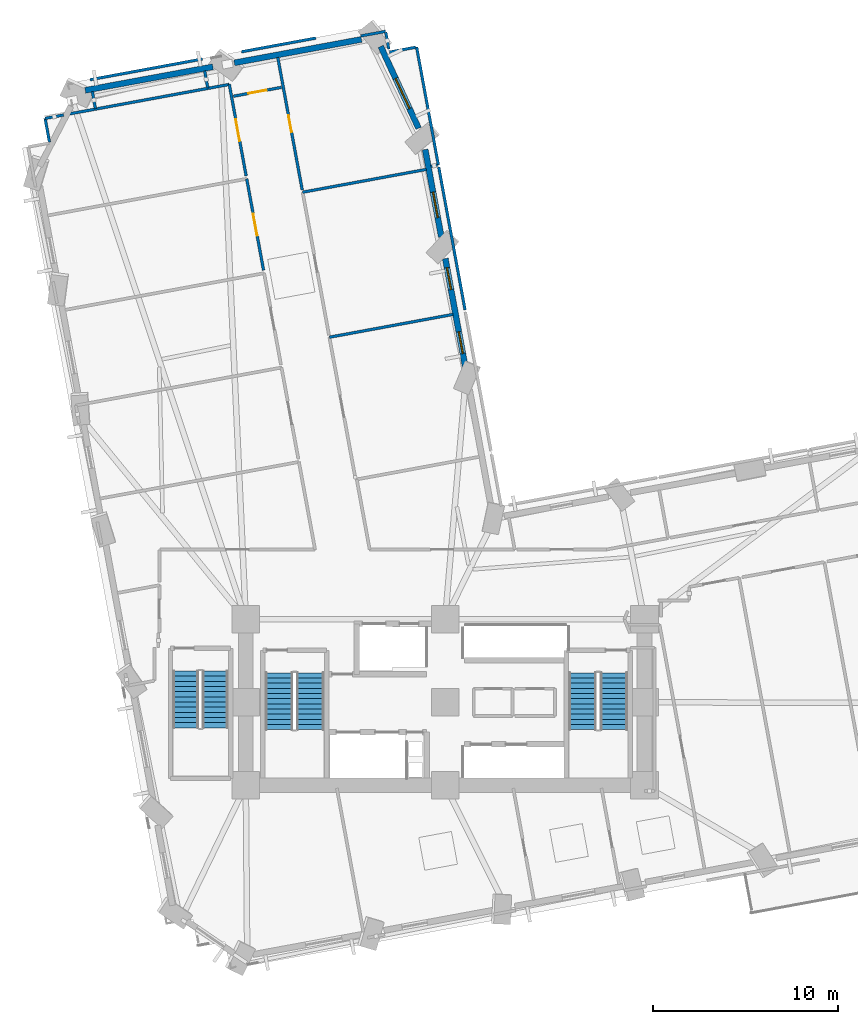
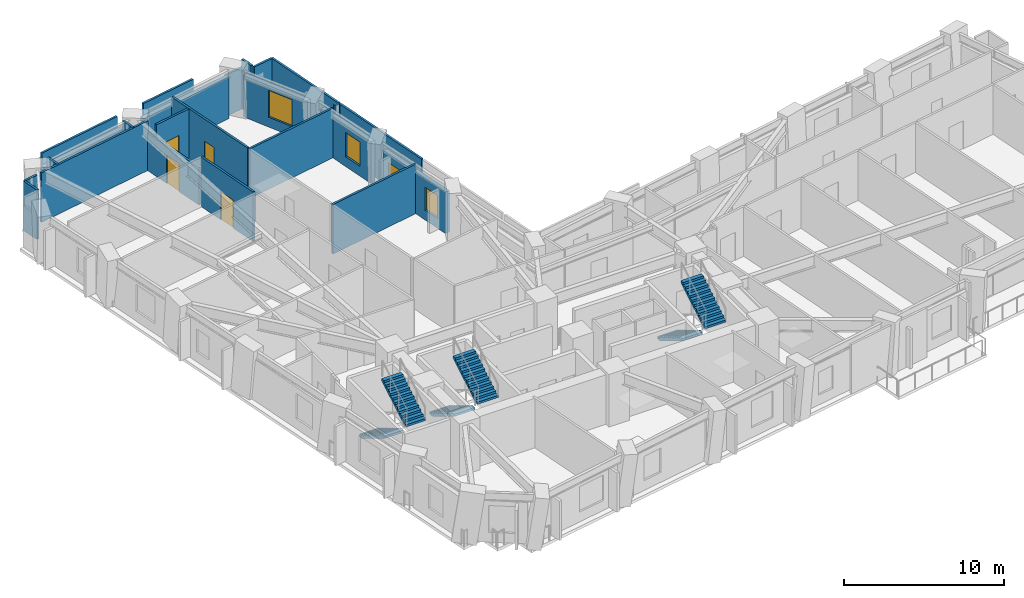
# One storey, part 11 of 16: 24 walls, 6 stair flights, 4 doors, 4 windows, 8 openings, 3 elements without a shape of their own.
"""IFC4 building model written with IfcOpenShell, lengths in metres."""

from ifc_helpers import new_model, si_unit, direction, frame, frame_2d, origin, place, context, subcontext, project, spatial, polyline, rectangle, outline, extrude, material, layer, layer_set, type_object, element, fill, aggregate, save


model = new_model("IFC4")

# Units and contexts
model_context = context("Model", 3, precision=1e-05, world=origin(), true_north=direction((0.0, 1.0)))
body_context = subcontext(model_context, "Body", "Model", "MODEL_VIEW")
ifc_project = project(units=[si_unit("LENGTHUNIT", "METRE"), si_unit("AREAUNIT", "SQUARE_METRE"), si_unit("VOLUMEUNIT", "CUBIC_METRE"), si_unit("PLANEANGLEUNIT", "RADIAN"), si_unit("MASSUNIT", "GRAM", prefix="KILO")], contexts=[model_context])

# Site, building, storey
site_placement = place(None, origin())
site = spatial("IfcSite", under=ifc_project, at=site_placement, CompositionType="ELEMENT")
building_placement = place(site_placement, origin())
building = spatial("IfcBuilding", under=site, at=building_placement, Name="Gaonmaruhae Medical Tower", CompositionType="ELEMENT")
storey_placement = place(building_placement, frame((0.0, 0.0, 67.0)))
storey = spatial("IfcBuildingStorey", under=building, at=storey_placement, Name="L15", CompositionType="ELEMENT", Elevation=67.0)

# Wall, openings, windows
ifc_material_1 = material(Name="Precast concrete C45/55", Category="concrete")
ifc_layer_1 = layer(ifc_material_1, 0.320068359375)
ifc_layer_set_1 = layer_set([ifc_layer_1], Name="Precast concrete C45/55")
wall_type_1 = type_object("IfcWallType", Name="EW-320 Lower Precast Masonry-Frame Facade Wall", PredefinedType="SOLIDWALL", material=ifc_layer_set_1)
wall_1_placement = place(storey_placement, frame((25.89794921875, 30.447509765625, 0.0), z_axis=(0.0, 0.0, 1.0), x_axis=(-0.181382112989, 0.983412695204, 0.0)))
wall_1 = element("IfcWall", 1, at=wall_1_placement, inside=storey, type_object=wall_type_1, Name="L15 Precast Masonry-Frame Wall NE01-NE02", PredefinedType="SOLIDWALL", context=body_context, shape_type="SweptSolid", body=[
    extrude(rectangle(XDim=5.996337890625, YDim=0.320068359375, at=frame_2d((2.998046875, 0.0))), origin(), (0.0, 0.0, 1.0), 3.1650390625),
])
opening_1_placement = place(wall_1_placement, frame((0.767578125, 0.0, 0.75)))
opening_1 = element("IfcOpeningElement", 2, at=opening_1_placement, cuts=wall_1, Name="Opening WN-05", PredefinedType="OPENING", context=body_context, shape_type="SweptSolid", body=[
    extrude(rectangle(XDim=1.199951171875, YDim=1.75, at=frame_2d((0.60009765625, 0.875))), frame((0.0, 0.169921875, 0.0), z_axis=(0.0, -1.0, 0.0), x_axis=(1.0, 0.0, 0.0)), (0.0, 0.0, 1.0), 0.340087890625),
])
opening_2_placement = place(wall_1_placement, frame((4.293212890625, 0.0, 0.75)))
opening_2 = element("IfcOpeningElement", 3, at=opening_2_placement, cuts=wall_1, Name="Opening WN-05", PredefinedType="OPENING", context=body_context, shape_type="SweptSolid", body=[
    extrude(rectangle(XDim=1.199951171875, YDim=1.75, at=frame_2d((0.60009765625, 0.875))), frame((0.0, 0.169921875, 0.0), z_axis=(0.0, -1.0, 0.0), x_axis=(1.0, 0.0, 0.0)), (0.0, 0.0, 1.0), 0.340087890625),
])
ifc_material_2 = material(Name="Anodised aluminium and Low-E double glazing", Category="aluminium")
window_type_1 = type_object("IfcWindowType", Name="WN-05 Support & Staff Punched Window 1200x1750", PartitioningType="SINGLE_PANEL", PredefinedType="WINDOW", material=ifc_material_2)
window_1_placement = place(opening_1_placement, origin())
window_1 = element("IfcWindow", 4, at=window_1_placement, inside=storey, type_object=window_type_1, Name="L15 Modular Facade Window NE01", OverallHeight=1.75, OverallWidth=1.199951171875, PartitioningType="SINGLE_PANEL", PredefinedType="WINDOW", context=body_context, shape_type="SweptSolid", body=[
    extrude(rectangle(XDim=1.199951171875, YDim=1.75, at=frame_2d((0.60009765625, 0.875))), frame((0.0, 0.030029296875, 0.0), z_axis=(0.0, -1.0, 0.0), x_axis=(1.0, 0.0, 0.0)), (0.0, 0.0, 1.0), 0.06005859375),
])
fill(opening_1, window_1)
window_2_placement = place(opening_2_placement, origin())
window_2 = element("IfcWindow", 5, at=window_2_placement, inside=storey, type_object=window_type_1, Name="L15 Modular Facade Window NE01B", OverallHeight=1.75, OverallWidth=1.199951171875, PartitioningType="SINGLE_PANEL", PredefinedType="WINDOW", context=body_context, shape_type="SweptSolid", body=[
    extrude(rectangle(XDim=1.199951171875, YDim=1.75, at=frame_2d((0.60009765625, 0.875))), frame((0.0, 0.030029296875, 0.0), z_axis=(0.0, -1.0, 0.0), x_axis=(1.0, 0.0, 0.0)), (0.0, 0.0, 1.0), 0.06005859375),
])
fill(opening_2, window_2)

# Wall, opening, window
wall_2_placement = place(storey_placement, frame((24.593505859375, 37.51953125, 0.0), z_axis=(0.0, 0.0, 1.0), x_axis=(-0.181364977633, 0.98341585552, 0.0)))
wall_2 = element("IfcWall", 6, at=wall_2_placement, inside=storey, type_object=wall_type_1, Name="L15 Precast Masonry-Frame Wall NE02-NE03", PredefinedType="SOLIDWALL", context=body_context, shape_type="SweptSolid", body=[
    extrude(rectangle(XDim=4.81640625, YDim=0.320068359375, at=frame_2d((2.408203125, 0.0))), origin(), (0.0, 0.0, 1.0), 3.1650390625),
])
opening_3_placement = place(wall_2_placement, frame((1.068603515625, 0.0, 0.75)))
opening_3 = element("IfcOpeningElement", 7, at=opening_3_placement, cuts=wall_2, Name="Opening WN-03", PredefinedType="OPENING", context=body_context, shape_type="SweptSolid", body=[
    extrude(rectangle(XDim=1.39990234375, YDim=1.85009765625, at=frame_2d((0.699951171875, 0.925048828125))), frame((0.0, 0.169921875, 0.0), z_axis=(0.0, -1.0, 0.0), x_axis=(1.0, 0.0, 0.0)), (0.0, 0.0, 1.0), 0.340087890625),
])
window_type_2 = type_object("IfcWindowType", Name="WN-03 Isolation Ward Punched Window 1400x1850", PartitioningType="SINGLE_PANEL", PredefinedType="WINDOW", material=ifc_material_2)
window_3_placement = place(opening_3_placement, origin())
window_3 = element("IfcWindow", 8, at=window_3_placement, inside=storey, type_object=window_type_2, Name="L15 Modular Facade Window NE02", OverallHeight=1.85009765625, OverallWidth=1.39990234375, PartitioningType="SINGLE_PANEL", PredefinedType="WINDOW", context=body_context, shape_type="SweptSolid", body=[
    extrude(rectangle(XDim=1.39990234375, YDim=1.85009765625, at=frame_2d((0.699951171875, 0.925048828125))), frame((0.0, 0.030029296875, 0.0), z_axis=(0.0, -1.0, 0.0), x_axis=(1.0, 0.0, 0.0)), (0.0, 0.0, 1.0), 0.06005859375),
])
fill(opening_3, window_3)

wall_3_placement = place(storey_placement, frame((21.311279296875, 47.841064453125, 0.0), z_axis=(0.0, 0.0, 1.0), x_axis=(0.419944609939, -0.907549736699, 0.0)))
wall_3 = element("IfcWall", 9, at=wall_3_placement, inside=storey, type_object=wall_type_1, Name="L15 Precast Masonry-Frame Wall NE03-N01", PredefinedType="SOLIDWALL", context=body_context, shape_type="SweptSolid", body=[
    extrude(rectangle(XDim=4.88916015625, YDim=0.320068359375, at=frame_2d((2.444580078125, 0.0))), origin(), (0.0, 0.0, 1.0), 3.1650390625),
])
opening_4_placement = place(wall_3_placement, frame((1.914794921875, 0.0, 0.75)))
opening_4 = element("IfcOpeningElement", 10, at=opening_4_placement, cuts=wall_3, Name="Opening WN-04", PredefinedType="OPENING", context=body_context, shape_type="SweptSolid", body=[
    extrude(rectangle(XDim=1.800048828125, YDim=2.050048828125, at=frame_2d((0.89990234375, 1.02490234375))), frame((0.0, 0.169921875, 0.0), z_axis=(0.0, -1.0, 0.0), x_axis=(1.0, 0.0, 0.0)), (0.0, 0.0, 1.0), 0.340087890625),
])
window_type_3 = type_object("IfcWindowType", Name="WN-04 Clinic & Consult Punched Window 1800x2050", PartitioningType="SINGLE_PANEL", PredefinedType="WINDOW", material=ifc_material_2)
window_4_placement = place(opening_4_placement, origin())
window_4 = element("IfcWindow", 11, at=window_4_placement, inside=storey, type_object=window_type_3, Name="L15 Modular Facade Window NE03", OverallHeight=2.050048828125, OverallWidth=1.800048828125, PartitioningType="SINGLE_PANEL", PredefinedType="WINDOW", context=body_context, shape_type="SweptSolid", body=[
    extrude(rectangle(XDim=1.800048828125, YDim=2.050048828125, at=frame_2d((0.89990234375, 1.02490234375))), frame((0.0, 0.030029296875, 0.0), z_axis=(0.0, -1.0, 0.0), x_axis=(1.0, 0.0, 0.0)), (0.0, 0.0, 1.0), 0.06005859375),
])
fill(opening_4, window_4)

# Walls
wall_4_placement = place(storey_placement, frame((13.379638671875, 46.949951171875, 0.0), z_axis=(0.0, 0.0, 1.0), x_axis=(0.98341213731, 0.181385137737, 0.0)))
element("IfcWall", 12, at=wall_4_placement, inside=storey, type_object=wall_type_1, Name="L15 Precast Masonry-Frame Wall N01-N02", PredefinedType="SOLIDWALL", context=body_context, shape_type="SweptSolid", body=[
    extrude(rectangle(XDim=7.003173828125, YDim=0.320068359375, at=frame_2d((3.50146484375, 0.0))), origin(), (0.0, 0.0, 1.0), 3.1650390625),
])
wall_5_placement = place(storey_placement, frame((5.296630859375, 45.458984375, 0.0), z_axis=(0.0, 0.0, 1.0), x_axis=(0.983408574272, 0.181404454324, 0.0)))
element("IfcWall", 13, at=wall_5_placement, inside=storey, type_object=wall_type_1, Name="L15 Precast Masonry-Frame Wall N02-N03", PredefinedType="SOLIDWALL", context=body_context, shape_type="SweptSolid", body=[
    extrude(rectangle(XDim=7.03466796875, YDim=0.320068359375, at=frame_2d((3.517333984375, 0.0))), origin(), (0.0, 0.0, 1.0), 3.1650390625),
])

# Wall, opening, door
ifc_material_3 = material(Name="Gypsum board partition", Category="gypsum")
ifc_layer_2 = layer(ifc_material_3, 0.14990234375)
ifc_layer_set_2 = layer_set([ifc_layer_2], Name="Gypsum board partition")
wall_type_2 = type_object("IfcWallType", Name="PW-150 Rated Clinical Corridor Partition", PredefinedType="PARTITIONING", material=ifc_layer_set_2)
wall_6_placement = place(storey_placement, frame((14.048095703125, 40.6669921875, 0.0), z_axis=(0.0, 0.0, 1.0), x_axis=(0.181293102456, -0.983429108275, 0.0)))
wall_6 = element("IfcWall", 14, at=wall_6_placement, inside=storey, type_object=wall_type_2, Name="L15 Interior Partition L15-WOF16-60", PredefinedType="PARTITIONING", context=body_context, shape_type="SweptSolid", body=[
    extrude(rectangle(XDim=5.04052734375, YDim=0.14990234375, at=frame_2d((2.520263671875, 0.0))), origin(), (0.0, 0.0, 1.0), 3.780029296875),
])
opening_5_placement = place(wall_6_placement, frame((1.92041015625, 0.0, 0.0)))
opening_5 = element("IfcOpeningElement", 15, at=opening_5_placement, cuts=wall_6, Name="Opening CD-02", PredefinedType="OPENING", context=body_context, shape_type="SweptSolid", body=[
    extrude(rectangle(XDim=1.199951171875, YDim=2.14990234375, at=frame_2d((0.60009765625, 1.074951171875))), frame((0.0, 0.0849609375, 0.0), z_axis=(0.0, -1.0, 0.0), x_axis=(1.0, 0.0, 0.0)), (0.0, 0.0, 1.0), 0.169921875),
])
ifc_material_4 = material(Name="Antimicrobial laminate timber fire door", Category="wood")
door_type_1 = type_object("IfcDoorType", Name="CD-02 Clinical Treatment & Procedure Door 1200x2150", OperationType="NOTDEFINED", PredefinedType="DOOR", material=ifc_material_4)
door_1_placement = place(opening_5_placement, origin())
door_1 = element("IfcDoor", 16, at=door_1_placement, inside=storey, type_object=door_type_1, Name="L15 Ward Physician Reporting Office Door", OperationType="SINGLE_SWING_LEFT", OverallHeight=2.14990234375, OverallWidth=1.199951171875, PredefinedType="DOOR", context=body_context, shape_type="SweptSolid", body=[
    extrude(rectangle(XDim=1.199951171875, YDim=2.14990234375, at=frame_2d((0.60009765625, 1.074951171875))), frame((0.0, 0.02490234375, 0.0), z_axis=(0.0, -1.0, 0.0), x_axis=(1.0, 0.0, 0.0)), (0.0, 0.0, 1.0), 0.050048828125),
])
fill(opening_5, door_1)

# Walls
wall_7_placement = place(storey_placement, frame((3.123046875, 43.93994140625, 0.0), z_axis=(0.0, 0.0, 1.0), x_axis=(0.9834621495, 0.181113777775, 0.0)))
element("IfcWall", 17, at=wall_7_placement, inside=storey, type_object=wall_type_2, Name="L15 Interior Partition L15-WOF17-62", PredefinedType="PARTITIONING", context=body_context, shape_type="SweptSolid", body=[
    extrude(rectangle(XDim=1.021728515625, YDim=0.14990234375, at=frame_2d((0.5107421875, 0.0))), origin(), (0.0, 0.0, 1.0), 3.780029296875),
])
wall_8_placement = place(storey_placement, frame((4.465087890625, 44.18701171875, 0.0), z_axis=(0.0, 0.0, 1.0), x_axis=(0.983403773202, 0.181430479393, 0.0)))
element("IfcWall", 18, at=wall_8_placement, inside=storey, type_object=wall_type_2, Name="L15 Interior Partition L15-WOF17-63", PredefinedType="PARTITIONING", context=body_context, shape_type="SweptSolid", body=[
    extrude(rectangle(XDim=8.78564453125, YDim=0.14990234375, at=frame_2d((4.392822265625, 0.0))), origin(), (0.0, 0.0, 1.0), 3.780029296875),
])

# Wall, opening, door
wall_9_placement = place(storey_placement, frame((13.10498046875, 45.781005859375, 0.0), z_axis=(0.0, 0.0, 1.0), x_axis=(0.181339945149, -0.983420471769, 0.0)))
wall_9 = element("IfcWall", 19, at=wall_9_placement, inside=storey, type_object=wall_type_2, Name="L15 Interior Partition L15-WOF17-64", PredefinedType="PARTITIONING", context=body_context, shape_type="SweptSolid", body=[
    extrude(rectangle(XDim=5.04052734375, YDim=0.14990234375, at=frame_2d((2.520263671875, 0.0))), origin(), (0.0, 0.0, 1.0), 2.864990234375),
])
opening_6_placement = place(wall_9_placement, frame((1.92041015625, 0.0, 0.0)))
opening_6 = element("IfcOpeningElement", 20, at=opening_6_placement, cuts=wall_9, Name="Opening CD-02", PredefinedType="OPENING", context=body_context, shape_type="SweptSolid", body=[
    extrude(rectangle(XDim=1.199951171875, YDim=2.14990234375, at=frame_2d((0.60009765625, 1.074951171875))), frame((0.0, 0.0849609375, 0.0), z_axis=(0.0, -1.0, 0.0), x_axis=(1.0, 0.0, 0.0)), (0.0, 0.0, 1.0), 0.169921875),
])
door_2_placement = place(opening_6_placement, origin())
door_2 = element("IfcDoor", 21, at=door_2_placement, inside=storey, type_object=door_type_1, Name="L15 Ward Physician Reporting Office Door", OperationType="SINGLE_SWING_LEFT", OverallHeight=2.14990234375, OverallWidth=1.199951171875, PredefinedType="DOOR", context=body_context, shape_type="SweptSolid", body=[
    extrude(rectangle(XDim=1.199951171875, YDim=2.14990234375, at=frame_2d((0.60009765625, 1.074951171875))), frame((0.0, 0.02490234375, 0.0), z_axis=(0.0, -1.0, 0.0), x_axis=(1.0, 0.0, 0.0)), (0.0, 0.0, 1.0), 0.050048828125),
])
fill(opening_6, door_2)

# Walls
wall_10_placement = place(storey_placement, frame((3.361083984375, 42.64990234375, 0.0), z_axis=(0.0, 0.0, 1.0), x_axis=(-0.181456106863, 0.983399044784, 0.0)))
element("IfcWall", 22, at=wall_10_placement, inside=storey, type_object=wall_type_2, Name="L15 Interior Partition L15-WOF17-67", PredefinedType="PARTITIONING", context=body_context, shape_type="SweptSolid", body=[
    extrude(rectangle(XDim=1.311767578125, YDim=0.14990234375, at=frame_2d((0.65576171875, 0.0))), origin(), (0.0, 0.0, 1.0), 3.780029296875),
])
wall_11_placement = place(storey_placement, frame((18.529052734375, 32.08203125, 0.0), z_axis=(0.0, 0.0, 1.0), x_axis=(0.98338778834, 0.181517100416, 0.0)))
element("IfcWall", 23, at=wall_11_placement, inside=storey, type_object=wall_type_2, Name="L15 Interior Partition L15-IN01-92", PredefinedType="PARTITIONING", context=body_context, shape_type="SweptSolid", body=[
    extrude(rectangle(XDim=6.815185546875, YDim=0.14990234375, at=frame_2d((3.40771484375, 0.0))), origin(), (0.0, 0.0, 1.0), 3.780029296875),
])
wall_12_placement = place(storey_placement, frame((17.080078125, 39.93994140625, 0.0), z_axis=(0.0, 0.0, 1.0), x_axis=(0.983413357383, 0.181378522765, 0.0)))
element("IfcWall", 24, at=wall_12_placement, inside=storey, type_object=wall_type_2, Name="L15 Interior Partition L15-IN02-95", PredefinedType="PARTITIONING", context=body_context, shape_type="SweptSolid", body=[
    extrude(rectangle(XDim=6.81494140625, YDim=0.14990234375, at=frame_2d((3.407470703125, 0.0))), origin(), (0.0, 0.0, 1.0), 3.780029296875),
])
wall_13_placement = place(storey_placement, frame((24.4560546875, 41.300048828125, 0.0), z_axis=(0.0, 0.0, 1.0), x_axis=(0.181333774202, -0.983421609654, 0.0)))
element("IfcWall", 25, at=wall_13_placement, inside=storey, type_object=wall_type_2, Name="L15 Interior Partition L15-IN02-96", PredefinedType="PARTITIONING", context=body_context, shape_type="SweptSolid", body=[
    extrude(rectangle(XDim=7.869384765625, YDim=0.14990234375, at=frame_2d((3.9345703125, 0.0))), origin(), (0.0, 0.0, 1.0), 3.780029296875),
])
wall_14_placement = place(storey_placement, frame((23.256103515625, 47.804931640625, 0.0), z_axis=(0.0, 0.0, 1.0), x_axis=(0.181375784051, -0.983413862501, 0.0)))
element("IfcWall", 26, at=wall_14_placement, inside=storey, type_object=wall_type_2, Name="L15 Interior Partition L15-IN03-97", PredefinedType="PARTITIONING", context=body_context, shape_type="SweptSolid", body=[
    extrude(rectangle(XDim=6.49462890625, YDim=0.14990234375, at=frame_2d((3.247314453125, 0.0))), origin(), (0.0, 0.0, 1.0), 3.780029296875),
])
wall_15_placement = place(storey_placement, frame((24.385009765625, 41.408935546875, 0.0), z_axis=(0.0, 0.0, 1.0), x_axis=(-0.983568980094, -0.180532715585, 0.0)))
element("IfcWall", 27, at=wall_15_placement, inside=storey, type_object=wall_type_2, Name="L15 Interior Partition L15-IN03-98", PredefinedType="PARTITIONING", context=body_context, shape_type="SweptSolid", body=[
    extrude(rectangle(XDim=0.365234375, YDim=0.14990234375, at=frame_2d((0.1826171875, 0.0))), origin(), (0.0, 0.0, 1.0), 3.780029296875),
])

# Wall, opening, door
wall_16_placement = place(storey_placement, frame((17.05810546875, 40.05810546875, 0.0), z_axis=(0.0, 0.0, 1.0), x_axis=(-0.181436165923, 0.983402724063, 0.0)))
wall_16 = element("IfcWall", 28, at=wall_16_placement, inside=storey, type_object=wall_type_2, Name="L15 Interior Partition L15-IN03-99", PredefinedType="PARTITIONING", context=body_context, shape_type="SweptSolid", body=[
    extrude(rectangle(XDim=7.309326171875, YDim=0.14990234375, at=frame_2d((3.65478515625, 0.0))), origin(), (0.0, 0.0, 1.0), 3.780029296875),
])
opening_7_placement = place(wall_16_placement, frame((3.194580078125, 0.0, 0.0)))
opening_7 = element("IfcOpeningElement", 29, at=opening_7_placement, cuts=wall_16, Name="Opening UD-01", PredefinedType="OPENING", context=body_context, shape_type="SweptSolid", body=[
    extrude(rectangle(XDim=0.919921875, YDim=2.10009765625, at=frame_2d((0.4599609375, 1.050048828125))), frame((0.0, 0.0849609375, 0.0), z_axis=(0.0, -1.0, 0.0), x_axis=(1.0, 0.0, 0.0)), (0.0, 0.0, 1.0), 0.169921875),
])
ifc_material_5 = material(Name="Powder-coated steel utility door", Category="steel")
door_type_2 = type_object("IfcDoorType", Name="UD-01 Toilet, Utility & Housekeeping Door 920x2100", OperationType="NOTDEFINED", PredefinedType="DOOR", material=ifc_material_5)
door_3_placement = place(opening_7_placement, origin())
door_3 = element("IfcDoor", 30, at=door_3_placement, inside=storey, type_object=door_type_2, Name="L15 Public Visitor Toilet Door", OperationType="SINGLE_SWING_LEFT", OverallHeight=2.10009765625, OverallWidth=0.919921875, PredefinedType="DOOR", context=body_context, shape_type="SweptSolid", body=[
    extrude(rectangle(XDim=0.919921875, YDim=2.10009765625, at=frame_2d((0.4599609375, 1.050048828125))), frame((0.0, 0.02490234375, 0.0), z_axis=(0.0, -1.0, 0.0), x_axis=(1.0, 0.0, 0.0)), (0.0, 0.0, 1.0), 0.050048828125),
])
fill(opening_7, door_3)

# Walls
wall_17_placement = place(storey_placement, frame((20.23193359375, 48.406982421875, 0.0), z_axis=(0.0, 0.0, 1.0), x_axis=(0.983472476136, 0.181057694351, 0.0)))
element("IfcWall", 31, at=wall_17_placement, inside=storey, type_object=wall_type_2, Name="L15 Interior Partition L15-IN03-100", PredefinedType="PARTITIONING", context=body_context, shape_type="SweptSolid", body=[
    extrude(rectangle(XDim=1.364501953125, YDim=0.14990234375, at=frame_2d((0.68212890625, 0.0))), origin(), (0.0, 0.0, 1.0), 3.1650390625),
])
wall_18_placement = place(storey_placement, frame((21.5830078125, 48.60498046875, 0.0), z_axis=(0.0, 0.0, 1.0), x_axis=(0.182022554583, -0.983294355533, 0.0)))
element("IfcWall", 32, at=wall_18_placement, inside=storey, type_object=wall_type_2, Name="L15 Interior Partition L15-IN03-101", PredefinedType="PARTITIONING", context=body_context, shape_type="SweptSolid", body=[
    extrude(rectangle(XDim=0.91748046875, YDim=0.14990234375, at=frame_2d((0.458740234375, 0.0))), origin(), (0.0, 0.0, 1.0), 3.780029296875),
])
wall_19_placement = place(storey_placement, frame((21.781005859375, 47.532958984375, 0.0), z_axis=(0.0, 0.0, 1.0), x_axis=(0.983422388214, 0.181329551807, 0.0)))
element("IfcWall", 33, at=wall_19_placement, inside=storey, type_object=wall_type_2, Name="L15 Interior Partition L15-IN03-102", PredefinedType="PARTITIONING", context=body_context, shape_type="SweptSolid", body=[
    extrude(rectangle(XDim=1.449951171875, YDim=0.14990234375, at=frame_2d((0.72509765625, 0.0))), origin(), (0.0, 0.0, 1.0), 3.780029296875),
])
wall_20_placement = place(storey_placement, frame((5.56298828125, 46.037109375, 0.0), z_axis=(0.0, 0.0, 1.0), x_axis=(0.983409145415, 0.181401358084, 0.0)))
element("IfcWall", 34, at=wall_20_placement, inside=storey, type_object=wall_type_2, Name="L15 Interior Partition L15-RM01-103", PredefinedType="PARTITIONING", context=body_context, shape_type="SweptSolid", body=[
    extrude(rectangle(XDim=6.189697265625, YDim=0.14990234375, at=frame_2d((3.0947265625, 0.0))), origin(), (0.0, 0.0, 1.0), 3.780029296875),
])
wall_21_placement = place(storey_placement, frame((11.76904296875, 46.51611328125, 0.0), z_axis=(0.0, 0.0, 1.0), x_axis=(0.181701071907, -0.983353812454, 0.0)))
element("IfcWall", 35, at=wall_21_placement, inside=storey, type_object=wall_type_2, Name="L15 Interior Partition L15-RM01-104", PredefinedType="PARTITIONING", context=body_context, shape_type="SweptSolid", body=[
    extrude(rectangle(XDim=0.94580078125, YDim=0.14990234375, at=frame_2d((0.472900390625, 0.0))), origin(), (0.0, 0.0, 1.0), 3.780029296875),
])
wall_22_placement = place(storey_placement, frame((5.85302734375, 44.464111328125, 0.0), z_axis=(0.0, 0.0, 1.0), x_axis=(-0.181182164683, 0.983449552952, 0.0)))
element("IfcWall", 36, at=wall_22_placement, inside=storey, type_object=wall_type_2, Name="L15 Interior Partition L15-RM01-105", PredefinedType="PARTITIONING", context=body_context, shape_type="SweptSolid", body=[
    extrude(rectangle(XDim=0.944580078125, YDim=0.14990234375, at=frame_2d((0.47216796875, 0.0))), origin(), (0.0, 0.0, 1.0), 3.780029296875),
])

# Wall, opening, door
wall_23_placement = place(storey_placement, frame((15.930908203125, 45.62109375, 0.0), z_axis=(0.0, 0.0, 1.0), x_axis=(-0.983375347577, -0.18158448661, 0.0)))
wall_23 = element("IfcWall", 37, at=wall_23_placement, inside=storey, type_object=wall_type_2, Name="L15 Interior Partition L15-RM02-106", PredefinedType="PARTITIONING", context=body_context, shape_type="SweptSolid", body=[
    extrude(rectangle(XDim=2.64990234375, YDim=0.14990234375, at=frame_2d((1.324951171875, 0.0))), origin(), (0.0, 0.0, 1.0), 3.780029296875),
])
opening_8_placement = place(wall_23_placement, frame((0.824951171875, 0.0, 0.0)))
opening_8 = element("IfcOpeningElement", 38, at=opening_8_placement, cuts=wall_23, Name="Opening CD-01", PredefinedType="OPENING", context=body_context, shape_type="SweptSolid", body=[
    extrude(rectangle(XDim=1.0, YDim=2.1201171875, at=frame_2d((0.5, 1.06005859375))), frame((0.0, 0.0849609375, 0.0), z_axis=(0.0, -1.0, 0.0), x_axis=(1.0, 0.0, 0.0)), (0.0, 0.0, 1.0), 0.169921875),
])
door_type_3 = type_object("IfcDoorType", Name="CD-01 Consultation & Physician Office Door 1000x2120", OperationType="NOTDEFINED", PredefinedType="DOOR", material=ifc_material_4)
door_4_placement = place(opening_8_placement, origin())
door_4 = element("IfcDoor", 39, at=door_4_placement, inside=storey, type_object=door_type_3, Name="L15 Care Team Clinical Charting Office Door", OperationType="SINGLE_SWING_LEFT", OverallHeight=2.1201171875, OverallWidth=1.0, PredefinedType="DOOR", context=body_context, shape_type="SweptSolid", body=[
    extrude(rectangle(XDim=1.0, YDim=2.1201171875, at=frame_2d((0.5, 1.06005859375))), frame((0.0, 0.02490234375, 0.0), z_axis=(0.0, -1.0, 0.0), x_axis=(1.0, 0.0, 0.0)), (0.0, 0.0, 1.0), 0.050048828125),
])
fill(opening_8, door_4)

# Wall
wall_24_placement = place(storey_placement, frame((13.76806640625, 47.550048828125, 0.0), z_axis=(0.0, 0.0, 1.0), x_axis=(0.983421602278, 0.181333814199, 0.0)))
element("IfcWall", 40, at=wall_24_placement, inside=storey, type_object=wall_type_2, Name="L15 Interior Partition L15-RM02-107", PredefinedType="PARTITIONING", context=body_context, shape_type="SweptSolid", body=[
    extrude(rectangle(XDim=4.096923828125, YDim=0.14990234375, at=frame_2d((2.04833984375, 0.0))), origin(), (0.0, 0.0, 1.0), 3.780029296875),
])

# Stair, stair flights
ifc_material_6 = material(Name="Concrete C40/50", Category="concrete")
stair_type_1 = type_object("IfcStairType", Name="ST-T1 Primary Core Escape Dogleg Stair", PredefinedType="TWO_QUARTER_TURN_STAIR", material=ifc_material_6)
stair_1_placement = place(storey_placement, origin())
stair_1 = element("IfcStair", 41, at=stair_1_placement, inside=storey, type_object=stair_type_1, Name="L15 Protected Escape Stair ST-01", PredefinedType="TWO_QUARTER_TURN_STAIR")
stair_flight_type_1 = type_object("IfcStairFlightType", Name="SF-T1 Primary Core Precast Stair Flight", PredefinedType="STRAIGHT", material=ifc_material_6)
stair_flight_1_placement = place(storey_placement, frame((15.800048828125, 13.89990234375, 0.0), z_axis=(0.0, 0.0, 1.0), x_axis=(0.0, -1.0, 0.0)))
stair_flight_1 = element("IfcStairFlight", 42, at=stair_flight_1_placement, type_object=stair_flight_type_1, Name="ST-01 flight 1", NumberOfRisers=12, NumberOfTreads=11, PredefinedType="STRAIGHT", RiserHeight=0.166666667, TreadLength=0.28, context=body_context, shape_type="SweptSolid", body=[
    extrude(outline(polyline([(0.0, 0.0), (0.0, 0.166748046875), (0.280029296875, 0.166748046875), (0.280029296875, 0.333251953125), (0.56005859375, 0.333251953125), (0.56005859375, 0.5), (0.840087890625, 0.5), (0.840087890625, 0.666748046875), (1.1201171875, 0.666748046875), (1.1201171875, 0.833251953125), (1.39990234375, 0.833251953125), (1.39990234375, 1.0), (1.679931640625, 1.0), (1.679931640625, 1.166748046875), (1.9599609375, 1.166748046875), (1.9599609375, 1.333251953125), (2.239990234375, 1.333251953125), (2.239990234375, 1.5), (2.52001953125, 1.5), (2.52001953125, 1.666748046875), (2.800048828125, 1.666748046875), (2.800048828125, 1.833251953125), (3.080078125, 1.833251953125), (3.080078125, 2.0), (3.080078125, 1.658935546875), (0.29296875, 0.0), (0.0, 0.0)])), frame((0.0, 0.75, 0.0), z_axis=(0.0, -1.0, 0.0), x_axis=(1.0, 0.0, 0.0)), (0.0, 0.0, 1.0), 1.5),
])
stair_flight_2_placement = place(storey_placement, frame((17.5, 10.820068359375, 2.0), z_axis=(0.0, 0.0, 1.0), x_axis=(0.0, 1.0, 0.0)))
stair_flight_2 = element("IfcStairFlight", 43, at=stair_flight_2_placement, type_object=stair_flight_type_1, Name="ST-01 flight 2", NumberOfRisers=12, NumberOfTreads=11, PredefinedType="STRAIGHT", RiserHeight=0.166666667, TreadLength=0.28, context=body_context, shape_type="SweptSolid", body=[
    extrude(outline(polyline([(0.0, 0.0), (0.0, 0.166748046875), (0.280029296875, 0.166748046875), (0.280029296875, 0.333251953125), (0.56005859375, 0.333251953125), (0.56005859375, 0.5), (0.840087890625, 0.5), (0.840087890625, 0.666748046875), (1.1201171875, 0.666748046875), (1.1201171875, 0.833251953125), (1.39990234375, 0.833251953125), (1.39990234375, 1.0), (1.679931640625, 1.0), (1.679931640625, 1.166748046875), (1.9599609375, 1.166748046875), (1.9599609375, 1.333251953125), (2.239990234375, 1.333251953125), (2.239990234375, 1.5), (2.52001953125, 1.5), (2.52001953125, 1.666748046875), (2.800048828125, 1.666748046875), (2.800048828125, 1.833251953125), (3.080078125, 1.833251953125), (3.080078125, 2.0), (3.080078125, 1.658935546875), (0.29296875, 0.0), (0.0, 0.0)])), frame((0.0, 0.75, 0.0), z_axis=(0.0, -1.0, 0.0), x_axis=(1.0, 0.0, 0.0)), (0.0, 0.0, 1.0), 1.5),
])
aggregate(stair_1, [stair_flight_1, stair_flight_2])

stair_2_placement = place(storey_placement, origin())
stair_2 = element("IfcStair", 44, at=stair_2_placement, inside=storey, type_object=stair_type_1, Name="L15 Protected Escape Stair ST-02", PredefinedType="TWO_QUARTER_TURN_STAIR")
stair_flight_3_placement = place(storey_placement, frame((32.25, 13.89990234375, 0.0), z_axis=(0.0, 0.0, 1.0), x_axis=(0.0, -1.0, 0.0)))
stair_flight_3 = element("IfcStairFlight", 45, at=stair_flight_3_placement, type_object=stair_flight_type_1, Name="ST-02 flight 1", NumberOfRisers=12, NumberOfTreads=11, PredefinedType="STRAIGHT", RiserHeight=0.166666667, TreadLength=0.28, context=body_context, shape_type="SweptSolid", body=[
    extrude(outline(polyline([(0.0, 0.0), (0.0, 0.166748046875), (0.280029296875, 0.166748046875), (0.280029296875, 0.333251953125), (0.56005859375, 0.333251953125), (0.56005859375, 0.5), (0.840087890625, 0.5), (0.840087890625, 0.666748046875), (1.1201171875, 0.666748046875), (1.1201171875, 0.833251953125), (1.39990234375, 0.833251953125), (1.39990234375, 1.0), (1.679931640625, 1.0), (1.679931640625, 1.166748046875), (1.9599609375, 1.166748046875), (1.9599609375, 1.333251953125), (2.239990234375, 1.333251953125), (2.239990234375, 1.5), (2.52001953125, 1.5), (2.52001953125, 1.666748046875), (2.800048828125, 1.666748046875), (2.800048828125, 1.833251953125), (3.080078125, 1.833251953125), (3.080078125, 2.0), (3.080078125, 1.658935546875), (0.29296875, 0.0), (0.0, 0.0)])), frame((0.0, 0.75, 0.0), z_axis=(0.0, -1.0, 0.0), x_axis=(1.0, 0.0, 0.0)), (0.0, 0.0, 1.0), 1.5),
])
stair_flight_4_placement = place(storey_placement, frame((33.949951171875, 10.820068359375, 2.0), z_axis=(0.0, 0.0, 1.0), x_axis=(0.0, 1.0, 0.0)))
stair_flight_4 = element("IfcStairFlight", 46, at=stair_flight_4_placement, type_object=stair_flight_type_1, Name="ST-02 flight 2", NumberOfRisers=12, NumberOfTreads=11, PredefinedType="STRAIGHT", RiserHeight=0.166666667, TreadLength=0.28, context=body_context, shape_type="SweptSolid", body=[
    extrude(outline(polyline([(0.0, 0.0), (0.0, 0.166748046875), (0.280029296875, 0.166748046875), (0.280029296875, 0.333251953125), (0.56005859375, 0.333251953125), (0.56005859375, 0.5), (0.840087890625, 0.5), (0.840087890625, 0.666748046875), (1.1201171875, 0.666748046875), (1.1201171875, 0.833251953125), (1.39990234375, 0.833251953125), (1.39990234375, 1.0), (1.679931640625, 1.0), (1.679931640625, 1.166748046875), (1.9599609375, 1.166748046875), (1.9599609375, 1.333251953125), (2.239990234375, 1.333251953125), (2.239990234375, 1.5), (2.52001953125, 1.5), (2.52001953125, 1.666748046875), (2.800048828125, 1.666748046875), (2.800048828125, 1.833251953125), (3.080078125, 1.833251953125), (3.080078125, 2.0), (3.080078125, 1.658935546875), (0.29296875, 0.0), (0.0, 0.0)])), frame((0.0, 0.75, 0.0), z_axis=(0.0, -1.0, 0.0), x_axis=(1.0, 0.0, 0.0)), (0.0, 0.0, 1.0), 1.5),
])
aggregate(stair_2, [stair_flight_3, stair_flight_4])

stair_type_2 = type_object("IfcStairType", Name="ST-T2 Zone 1 Escape Dogleg Stair", PredefinedType="TWO_QUARTER_TURN_STAIR", material=ifc_material_6)
stair_3_placement = place(storey_placement, origin())
stair_3 = element("IfcStair", 47, at=stair_3_placement, inside=storey, type_object=stair_type_2, Name="L15 Protected Escape Stair ST-03", PredefinedType="TWO_QUARTER_TURN_STAIR")
stair_flight_type_2 = type_object("IfcStairFlightType", Name="SF-T2 Zone 1 Precast Stair Flight", PredefinedType="STRAIGHT", material=ifc_material_6)
stair_flight_5_placement = place(storey_placement, frame((10.75, 14.0, 0.0), z_axis=(0.0, 0.0, 1.0), x_axis=(0.0, -1.0, 0.0)))
stair_flight_5 = element("IfcStairFlight", 48, at=stair_flight_5_placement, type_object=stair_flight_type_2, Name="ST-03 flight 1", NumberOfRisers=12, NumberOfTreads=11, PredefinedType="STRAIGHT", RiserHeight=0.166666667, TreadLength=0.28, context=body_context, shape_type="SweptSolid", body=[
    extrude(outline(polyline([(0.0, 0.0), (0.0, 0.166748046875), (0.280029296875, 0.166748046875), (0.280029296875, 0.333251953125), (0.56005859375, 0.333251953125), (0.56005859375, 0.5), (0.840087890625, 0.5), (0.840087890625, 0.666748046875), (1.1201171875, 0.666748046875), (1.1201171875, 0.833251953125), (1.39990234375, 0.833251953125), (1.39990234375, 1.0), (1.679931640625, 1.0), (1.679931640625, 1.166748046875), (1.9599609375, 1.166748046875), (1.9599609375, 1.333251953125), (2.239990234375, 1.333251953125), (2.239990234375, 1.5), (2.52001953125, 1.5), (2.52001953125, 1.666748046875), (2.800048828125, 1.666748046875), (2.800048828125, 1.833251953125), (3.080078125, 1.833251953125), (3.080078125, 2.0), (3.080078125, 1.658935546875), (0.29296875, 0.0), (0.0, 0.0)])), frame((0.0, 0.699951171875, 0.0), z_axis=(0.0, -1.0, 0.0), x_axis=(1.0, 0.0, 0.0)), (0.0, 0.0, 1.0), 1.39990234375),
])
stair_flight_6_placement = place(storey_placement, frame((12.35009765625, 10.919921875, 2.0), z_axis=(0.0, 0.0, 1.0), x_axis=(0.0, 1.0, 0.0)))
stair_flight_6 = element("IfcStairFlight", 49, at=stair_flight_6_placement, type_object=stair_flight_type_2, Name="ST-03 flight 2", NumberOfRisers=12, NumberOfTreads=11, PredefinedType="STRAIGHT", RiserHeight=0.166666667, TreadLength=0.28, context=body_context, shape_type="SweptSolid", body=[
    extrude(outline(polyline([(0.0, 0.0), (0.0, 0.166748046875), (0.280029296875, 0.166748046875), (0.280029296875, 0.333251953125), (0.56005859375, 0.333251953125), (0.56005859375, 0.5), (0.840087890625, 0.5), (0.840087890625, 0.666748046875), (1.1201171875, 0.666748046875), (1.1201171875, 0.833251953125), (1.39990234375, 0.833251953125), (1.39990234375, 1.0), (1.679931640625, 1.0), (1.679931640625, 1.166748046875), (1.9599609375, 1.166748046875), (1.9599609375, 1.333251953125), (2.239990234375, 1.333251953125), (2.239990234375, 1.5), (2.52001953125, 1.5), (2.52001953125, 1.666748046875), (2.800048828125, 1.666748046875), (2.800048828125, 1.833251953125), (3.080078125, 1.833251953125), (3.080078125, 2.0), (3.080078125, 1.658935546875), (0.29296875, 0.0), (0.0, 0.0)])), frame((0.0, 0.699951171875, 0.0), z_axis=(0.0, -1.0, 0.0), x_axis=(1.0, 0.0, 0.0)), (0.0, 0.0, 1.0), 1.39990234375),
])
aggregate(stair_3, [stair_flight_5, stair_flight_6])

save(model, "model.ifc")
